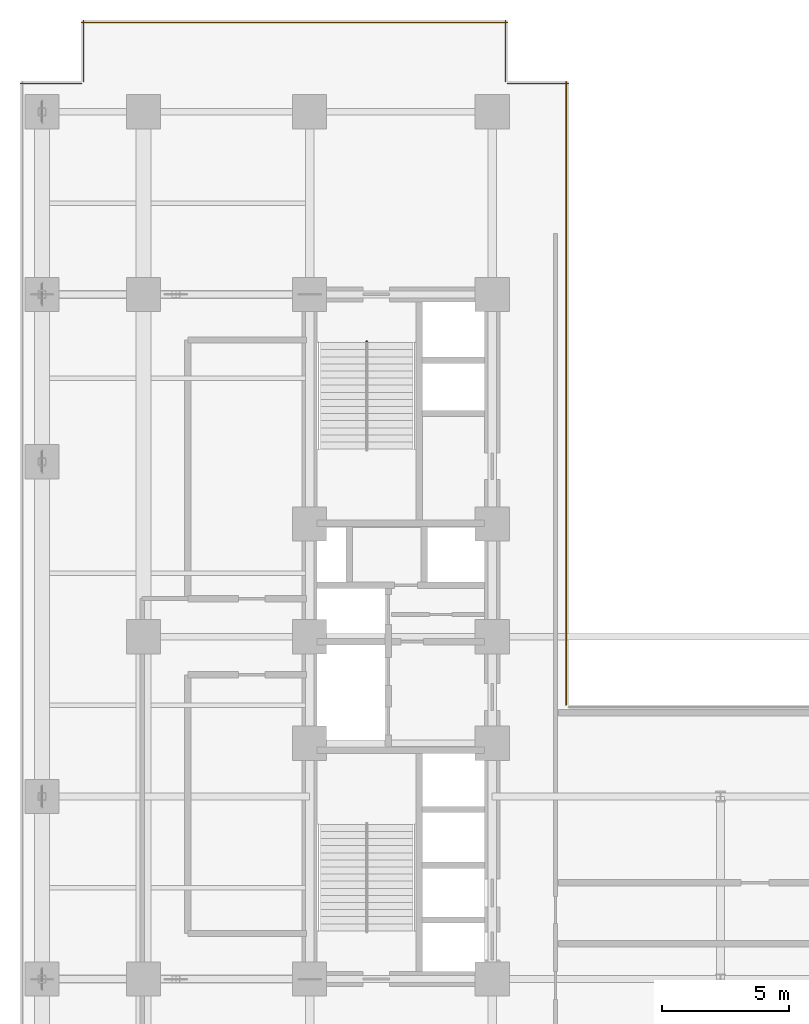
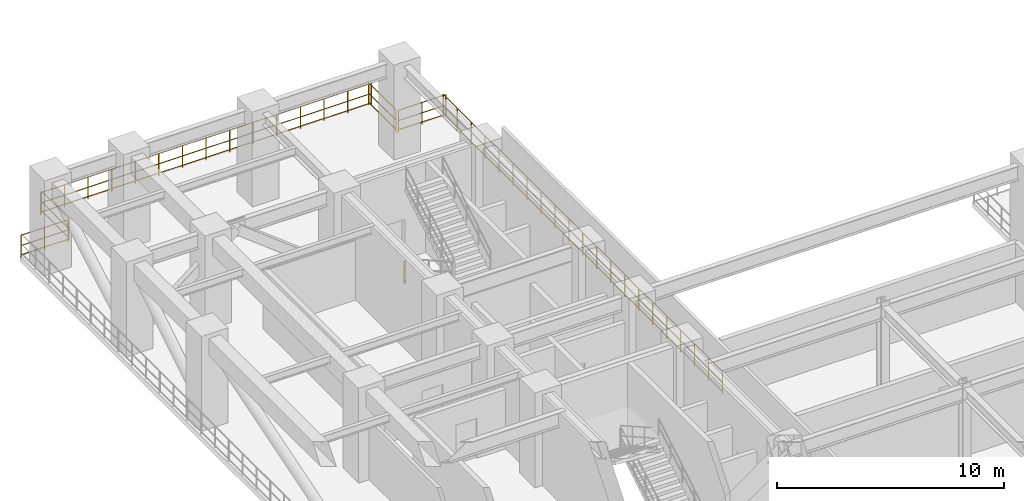
# One storey, part 15 of 15: 7 railings.
"""IFC4 building model written with IfcOpenShell, lengths in metres."""

from ifc_helpers import new_model, entity, si_unit, converted_unit, direction, frame, origin_with_axes, origin_2d_with_axis, place, context, subcontext, project, spatial, rectangle, circle, extrude, material, type_object, element, save


model = new_model("IFC4")

# Units and contexts
model_context = context("Model", 3, precision=1e-05, world=origin_with_axes(), true_north=direction((0.0, 1.0)))
body_context = subcontext(model_context, "Body", "Model", "MODEL_VIEW")
ifc_project = project(units=[si_unit("LENGTHUNIT", "METRE"), si_unit("AREAUNIT", "SQUARE_METRE"), si_unit("VOLUMEUNIT", "CUBIC_METRE"), converted_unit("PLANEANGLEUNIT", "DEGREE", entity("IfcPlaneAngleMeasure", 0.017453292519943295), si_unit("PLANEANGLEUNIT", "RADIAN"), dimensions=[0, 0, 0, 0, 0, 0, 0]), si_unit("MASSUNIT", "GRAM", prefix="KILO"), si_unit("THERMODYNAMICTEMPERATUREUNIT", "KELVIN")], contexts=[model_context])

# Site, building, storey
site_placement = place(None, origin_with_axes())
site = spatial("IfcSite", under=ifc_project, at=site_placement, CompositionType="ELEMENT")
building_placement = place(site_placement, origin_with_axes())
building = spatial("IfcBuilding", under=site, at=building_placement, Name="Varnlund Millrace Tower", CompositionType="ELEMENT")
storey_placement = place(building_placement, frame((0.0, 0.0, 79.5), z_axis=(0.0, 0.0, 1.0), x_axis=(1.0, 0.0, 0.0)))
storey = spatial("IfcBuildingStorey", under=building, at=storey_placement, Name="L19", CompositionType="ELEMENT", Elevation=79.5)

# Railings
ifc_material_1 = material(Name="Architectural bronze balustrade guard", Category="aluminium")
railing_type_1 = type_object("IfcRailingType", Name="Type-Guard-Perimeter-1150", PredefinedType="BALUSTRADE", material=ifc_material_1)
railing_1_placement = place(storey_placement, frame((0.0, 0.0, -79.5), z_axis=(0.0, 0.0, 1.0), x_axis=(1.0, 0.0, 0.0)))
element("IfcRailing", 1, at=railing_1_placement, inside=storey, type_object=railing_type_1, Name="Type-Guard-Perimeter-1150", PredefinedType="BALUSTRADE", context=body_context, shape_type="SweptSolid", body=[
    extrude(circle(Radius=0.024, at=origin_2d_with_axis()), frame((21.52, 21.6, 80.65), z_axis=(0.0, 1.0, 0.0), x_axis=(-1.0, 0.0, 0.0)), (0.0, 0.0, 1.0), 24.6),
    extrude(circle(Radius=0.024, at=origin_2d_with_axis()), frame((21.52, 21.6, 79.6), z_axis=(0.0, 1.0, 0.0), x_axis=(-1.0, 0.0, 0.0)), (0.0, 0.0, 1.0), 24.6),
    extrude(circle(Radius=0.024, at=origin_2d_with_axis()), frame((21.52, 21.6, 80.098), z_axis=(0.0, 1.0, 0.0), x_axis=(-1.0, 0.0, 0.0)), (0.0, 0.0, 1.0), 24.6),
    extrude(rectangle(XDim=0.04, YDim=0.04, at=origin_2d_with_axis()), frame((21.52, 21.6, 79.46), z_axis=(0.0, 0.0, 1.0), x_axis=(1.0, 0.0, 0.0)), (0.0, 0.0, 1.0), 1.19),
    extrude(rectangle(XDim=0.04, YDim=0.04, at=origin_2d_with_axis()), frame((21.52, 22.83, 79.46), z_axis=(0.0, 0.0, 1.0), x_axis=(1.0, 0.0, 0.0)), (0.0, 0.0, 1.0), 1.19),
    extrude(rectangle(XDim=0.04, YDim=0.04, at=origin_2d_with_axis()), frame((21.52, 24.06, 79.46), z_axis=(0.0, 0.0, 1.0), x_axis=(1.0, 0.0, 0.0)), (0.0, 0.0, 1.0), 1.19),
    extrude(rectangle(XDim=0.04, YDim=0.04, at=origin_2d_with_axis()), frame((21.52, 25.29, 79.46), z_axis=(0.0, 0.0, 1.0), x_axis=(1.0, 0.0, 0.0)), (0.0, 0.0, 1.0), 1.19),
    extrude(rectangle(XDim=0.04, YDim=0.04, at=origin_2d_with_axis()), frame((21.52, 26.52, 79.46), z_axis=(0.0, 0.0, 1.0), x_axis=(1.0, 0.0, 0.0)), (0.0, 0.0, 1.0), 1.19),
    extrude(rectangle(XDim=0.04, YDim=0.04, at=origin_2d_with_axis()), frame((21.52, 27.75, 79.46), z_axis=(0.0, 0.0, 1.0), x_axis=(1.0, 0.0, 0.0)), (0.0, 0.0, 1.0), 1.19),
    extrude(rectangle(XDim=0.04, YDim=0.04, at=origin_2d_with_axis()), frame((21.52, 28.98, 79.46), z_axis=(0.0, 0.0, 1.0), x_axis=(1.0, 0.0, 0.0)), (0.0, 0.0, 1.0), 1.19),
    extrude(rectangle(XDim=0.04, YDim=0.04, at=origin_2d_with_axis()), frame((21.52, 30.21, 79.46), z_axis=(0.0, 0.0, 1.0), x_axis=(1.0, 0.0, 0.0)), (0.0, 0.0, 1.0), 1.19),
    extrude(rectangle(XDim=0.04, YDim=0.04, at=origin_2d_with_axis()), frame((21.52, 31.44, 79.46), z_axis=(0.0, 0.0, 1.0), x_axis=(1.0, 0.0, 0.0)), (0.0, 0.0, 1.0), 1.19),
    extrude(rectangle(XDim=0.04, YDim=0.04, at=origin_2d_with_axis()), frame((21.52, 32.67, 79.46), z_axis=(0.0, 0.0, 1.0), x_axis=(1.0, 0.0, 0.0)), (0.0, 0.0, 1.0), 1.19),
    extrude(rectangle(XDim=0.04, YDim=0.04, at=origin_2d_with_axis()), frame((21.52, 33.9, 79.46), z_axis=(0.0, 0.0, 1.0), x_axis=(1.0, 0.0, 0.0)), (0.0, 0.0, 1.0), 1.19),
    extrude(rectangle(XDim=0.04, YDim=0.04, at=origin_2d_with_axis()), frame((21.52, 35.13, 79.46), z_axis=(0.0, 0.0, 1.0), x_axis=(1.0, 0.0, 0.0)), (0.0, 0.0, 1.0), 1.19),
    extrude(rectangle(XDim=0.04, YDim=0.04, at=origin_2d_with_axis()), frame((21.52, 36.36, 79.46), z_axis=(0.0, 0.0, 1.0), x_axis=(1.0, 0.0, 0.0)), (0.0, 0.0, 1.0), 1.19),
    extrude(rectangle(XDim=0.04, YDim=0.04, at=origin_2d_with_axis()), frame((21.52, 37.59, 79.46), z_axis=(0.0, 0.0, 1.0), x_axis=(1.0, 0.0, 0.0)), (0.0, 0.0, 1.0), 1.19),
    extrude(rectangle(XDim=0.04, YDim=0.04, at=origin_2d_with_axis()), frame((21.52, 38.82, 79.46), z_axis=(0.0, 0.0, 1.0), x_axis=(1.0, 0.0, 0.0)), (0.0, 0.0, 1.0), 1.19),
    extrude(rectangle(XDim=0.04, YDim=0.04, at=origin_2d_with_axis()), frame((21.52, 40.05, 79.46), z_axis=(0.0, 0.0, 1.0), x_axis=(1.0, 0.0, 0.0)), (0.0, 0.0, 1.0), 1.19),
    extrude(rectangle(XDim=0.04, YDim=0.04, at=origin_2d_with_axis()), frame((21.52, 41.28, 79.46), z_axis=(0.0, 0.0, 1.0), x_axis=(1.0, 0.0, 0.0)), (0.0, 0.0, 1.0), 1.19),
    extrude(rectangle(XDim=0.04, YDim=0.04, at=origin_2d_with_axis()), frame((21.52, 42.51, 79.46), z_axis=(0.0, 0.0, 1.0), x_axis=(1.0, 0.0, 0.0)), (0.0, 0.0, 1.0), 1.19),
    extrude(rectangle(XDim=0.04, YDim=0.04, at=origin_2d_with_axis()), frame((21.52, 43.74, 79.46), z_axis=(0.0, 0.0, 1.0), x_axis=(1.0, 0.0, 0.0)), (0.0, 0.0, 1.0), 1.19),
    extrude(rectangle(XDim=0.04, YDim=0.04, at=origin_2d_with_axis()), frame((21.52, 44.97, 79.46), z_axis=(0.0, 0.0, 1.0), x_axis=(1.0, 0.0, 0.0)), (0.0, 0.0, 1.0), 1.19),
    extrude(rectangle(XDim=0.04, YDim=0.04, at=origin_2d_with_axis()), frame((21.52, 46.2, 79.46), z_axis=(0.0, 0.0, 1.0), x_axis=(1.0, 0.0, 0.0)), (0.0, 0.0, 1.0), 1.19),
])
railing_2_placement = place(storey_placement, frame((0.0, 0.0, -79.5), z_axis=(0.0, 0.0, 1.0), x_axis=(1.0, 0.0, 0.0)))
element("IfcRailing", 2, at=railing_2_placement, inside=storey, type_object=railing_type_1, Name="Type-Guard-Perimeter-1150", PredefinedType="BALUSTRADE", context=body_context, shape_type="SweptSolid", body=[
    extrude(circle(Radius=0.024, at=origin_2d_with_axis()), frame((21.6, 46.12, 80.65), z_axis=(-1.0, 0.0, 0.0), x_axis=(0.0, -1.0, 0.0)), (0.0, 0.0, 1.0), 2.4),
    extrude(circle(Radius=0.024, at=origin_2d_with_axis()), frame((21.6, 46.12, 79.6), z_axis=(-1.0, 0.0, 0.0), x_axis=(0.0, -1.0, 0.0)), (0.0, 0.0, 1.0), 2.4),
    extrude(circle(Radius=0.024, at=origin_2d_with_axis()), frame((21.6, 46.12, 80.098), z_axis=(-1.0, 0.0, 0.0), x_axis=(0.0, -1.0, 0.0)), (0.0, 0.0, 1.0), 2.4),
    extrude(rectangle(XDim=0.04, YDim=0.04, at=origin_2d_with_axis()), frame((21.6, 46.12, 79.46), z_axis=(0.0, 0.0, 1.0), x_axis=(1.0, 0.0, 0.0)), (0.0, 0.0, 1.0), 1.19),
    extrude(rectangle(XDim=0.04, YDim=0.04, at=origin_2d_with_axis()), frame((20.4, 46.12, 79.46), z_axis=(0.0, 0.0, 1.0), x_axis=(1.0, 0.0, 0.0)), (0.0, 0.0, 1.0), 1.19),
    extrude(rectangle(XDim=0.04, YDim=0.04, at=origin_2d_with_axis()), frame((19.2, 46.12, 79.46), z_axis=(0.0, 0.0, 1.0), x_axis=(1.0, 0.0, 0.0)), (0.0, 0.0, 1.0), 1.19),
])
railing_3_placement = place(storey_placement, frame((0.0, 0.0, -79.5), z_axis=(0.0, 0.0, 1.0), x_axis=(1.0, 0.0, 0.0)))
element("IfcRailing", 3, at=railing_3_placement, inside=storey, type_object=railing_type_1, Name="Type-Guard-Perimeter-1150", PredefinedType="BALUSTRADE", context=body_context, shape_type="SweptSolid", body=[
    extrude(circle(Radius=0.024, at=origin_2d_with_axis()), frame((19.12, 46.2, 80.65), z_axis=(0.0, 1.0, 0.0), x_axis=(-1.0, 0.0, 0.0)), (0.0, 0.0, 1.0), 2.4),
    extrude(circle(Radius=0.024, at=origin_2d_with_axis()), frame((19.12, 46.2, 79.6), z_axis=(0.0, 1.0, 0.0), x_axis=(-1.0, 0.0, 0.0)), (0.0, 0.0, 1.0), 2.4),
    extrude(circle(Radius=0.024, at=origin_2d_with_axis()), frame((19.12, 46.2, 80.098), z_axis=(0.0, 1.0, 0.0), x_axis=(-1.0, 0.0, 0.0)), (0.0, 0.0, 1.0), 2.4),
    extrude(rectangle(XDim=0.04, YDim=0.04, at=origin_2d_with_axis()), frame((19.12, 46.2, 79.46), z_axis=(0.0, 0.0, 1.0), x_axis=(1.0, 0.0, 0.0)), (0.0, 0.0, 1.0), 1.19),
    extrude(rectangle(XDim=0.04, YDim=0.04, at=origin_2d_with_axis()), frame((19.12, 48.6, 79.46), z_axis=(0.0, 0.0, 1.0), x_axis=(1.0, 0.0, 0.0)), (0.0, 0.0, 1.0), 1.19),
])
railing_4_placement = place(storey_placement, frame((0.0, 0.0, -79.5), z_axis=(0.0, 0.0, 1.0), x_axis=(1.0, 0.0, 0.0)))
element("IfcRailing", 4, at=railing_4_placement, inside=storey, type_object=railing_type_1, Name="Type-Guard-Perimeter-1150", PredefinedType="BALUSTRADE", context=body_context, shape_type="SweptSolid", body=[
    extrude(circle(Radius=0.024, at=origin_2d_with_axis()), frame((19.2, 48.52, 80.65), z_axis=(-1.0, 0.0, 0.0), x_axis=(0.0, -1.0, 0.0)), (0.0, 0.0, 1.0), 16.8),
    extrude(circle(Radius=0.024, at=origin_2d_with_axis()), frame((19.2, 48.52, 79.6), z_axis=(-1.0, 0.0, 0.0), x_axis=(0.0, -1.0, 0.0)), (0.0, 0.0, 1.0), 16.8),
    extrude(circle(Radius=0.024, at=origin_2d_with_axis()), frame((19.2, 48.52, 80.098), z_axis=(-1.0, 0.0, 0.0), x_axis=(0.0, -1.0, 0.0)), (0.0, 0.0, 1.0), 16.8),
    extrude(rectangle(XDim=0.04, YDim=0.04, at=origin_2d_with_axis()), frame((19.2, 48.52, 79.46), z_axis=(0.0, 0.0, 1.0), x_axis=(1.0, 0.0, 0.0)), (0.0, 0.0, 1.0), 1.19),
    extrude(rectangle(XDim=0.04, YDim=0.04, at=origin_2d_with_axis()), frame((18.0, 48.52, 79.46), z_axis=(0.0, 0.0, 1.0), x_axis=(1.0, 0.0, 0.0)), (0.0, 0.0, 1.0), 1.19),
    extrude(rectangle(XDim=0.04, YDim=0.04, at=origin_2d_with_axis()), frame((16.8, 48.52, 79.46), z_axis=(0.0, 0.0, 1.0), x_axis=(1.0, 0.0, 0.0)), (0.0, 0.0, 1.0), 1.19),
    extrude(rectangle(XDim=0.04, YDim=0.04, at=origin_2d_with_axis()), frame((15.6, 48.52, 79.46), z_axis=(0.0, 0.0, 1.0), x_axis=(1.0, 0.0, 0.0)), (0.0, 0.0, 1.0), 1.19),
    extrude(rectangle(XDim=0.04, YDim=0.04, at=origin_2d_with_axis()), frame((14.4, 48.52, 79.46), z_axis=(0.0, 0.0, 1.0), x_axis=(1.0, 0.0, 0.0)), (0.0, 0.0, 1.0), 1.19),
    extrude(rectangle(XDim=0.04, YDim=0.04, at=origin_2d_with_axis()), frame((13.2, 48.52, 79.46), z_axis=(0.0, 0.0, 1.0), x_axis=(1.0, 0.0, 0.0)), (0.0, 0.0, 1.0), 1.19),
    extrude(rectangle(XDim=0.04, YDim=0.04, at=origin_2d_with_axis()), frame((12.0, 48.52, 79.46), z_axis=(0.0, 0.0, 1.0), x_axis=(1.0, 0.0, 0.0)), (0.0, 0.0, 1.0), 1.19),
    extrude(rectangle(XDim=0.04, YDim=0.04, at=origin_2d_with_axis()), frame((10.8, 48.52, 79.46), z_axis=(0.0, 0.0, 1.0), x_axis=(1.0, 0.0, 0.0)), (0.0, 0.0, 1.0), 1.19),
    extrude(rectangle(XDim=0.04, YDim=0.04, at=origin_2d_with_axis()), frame((9.6, 48.52, 79.46), z_axis=(0.0, 0.0, 1.0), x_axis=(1.0, 0.0, 0.0)), (0.0, 0.0, 1.0), 1.19),
    extrude(rectangle(XDim=0.04, YDim=0.04, at=origin_2d_with_axis()), frame((8.4, 48.52, 79.46), z_axis=(0.0, 0.0, 1.0), x_axis=(1.0, 0.0, 0.0)), (0.0, 0.0, 1.0), 1.19),
    extrude(rectangle(XDim=0.04, YDim=0.04, at=origin_2d_with_axis()), frame((7.2, 48.52, 79.46), z_axis=(0.0, 0.0, 1.0), x_axis=(1.0, 0.0, 0.0)), (0.0, 0.0, 1.0), 1.19),
    extrude(rectangle(XDim=0.04, YDim=0.04, at=origin_2d_with_axis()), frame((6.0, 48.52, 79.46), z_axis=(0.0, 0.0, 1.0), x_axis=(1.0, 0.0, 0.0)), (0.0, 0.0, 1.0), 1.19),
    extrude(rectangle(XDim=0.04, YDim=0.04, at=origin_2d_with_axis()), frame((4.8, 48.52, 79.46), z_axis=(0.0, 0.0, 1.0), x_axis=(1.0, 0.0, 0.0)), (0.0, 0.0, 1.0), 1.19),
    extrude(rectangle(XDim=0.04, YDim=0.04, at=origin_2d_with_axis()), frame((3.6, 48.52, 79.46), z_axis=(0.0, 0.0, 1.0), x_axis=(1.0, 0.0, 0.0)), (0.0, 0.0, 1.0), 1.19),
    extrude(rectangle(XDim=0.04, YDim=0.04, at=origin_2d_with_axis()), frame((2.4, 48.52, 79.46), z_axis=(0.0, 0.0, 1.0), x_axis=(1.0, 0.0, 0.0)), (0.0, 0.0, 1.0), 1.19),
])
railing_5_placement = place(storey_placement, frame((0.0, 0.0, -79.5), z_axis=(0.0, 0.0, 1.0), x_axis=(1.0, 0.0, 0.0)))
element("IfcRailing", 5, at=railing_5_placement, inside=storey, type_object=railing_type_1, Name="Type-Guard-Perimeter-1150", PredefinedType="BALUSTRADE", context=body_context, shape_type="SweptSolid", body=[
    extrude(circle(Radius=0.024, at=origin_2d_with_axis()), frame((2.48, 48.6, 80.65), z_axis=(0.0, -1.0, 0.0), x_axis=(1.0, 0.0, 0.0)), (0.0, 0.0, 1.0), 2.4),
    extrude(circle(Radius=0.024, at=origin_2d_with_axis()), frame((2.48, 48.6, 79.6), z_axis=(0.0, -1.0, 0.0), x_axis=(1.0, 0.0, 0.0)), (0.0, 0.0, 1.0), 2.4),
    extrude(circle(Radius=0.024, at=origin_2d_with_axis()), frame((2.48, 48.6, 80.098), z_axis=(0.0, -1.0, 0.0), x_axis=(1.0, 0.0, 0.0)), (0.0, 0.0, 1.0), 2.4),
    extrude(rectangle(XDim=0.04, YDim=0.04, at=origin_2d_with_axis()), frame((2.48, 48.6, 79.46), z_axis=(0.0, 0.0, 1.0), x_axis=(1.0, 0.0, 0.0)), (0.0, 0.0, 1.0), 1.19),
    extrude(rectangle(XDim=0.04, YDim=0.04, at=origin_2d_with_axis()), frame((2.48, 46.2, 79.46), z_axis=(0.0, 0.0, 1.0), x_axis=(1.0, 0.0, 0.0)), (0.0, 0.0, 1.0), 1.19),
])
railing_6_placement = place(storey_placement, frame((0.0, 0.0, -79.5), z_axis=(0.0, 0.0, 1.0), x_axis=(1.0, 0.0, 0.0)))
element("IfcRailing", 6, at=railing_6_placement, inside=storey, type_object=railing_type_1, Name="Type-Guard-Perimeter-1150", PredefinedType="BALUSTRADE", context=body_context, shape_type="SweptSolid", body=[
    extrude(circle(Radius=0.024, at=origin_2d_with_axis()), frame((2.4, 46.12, 80.65), z_axis=(-1.0, 0.0, 0.0), x_axis=(0.0, -1.0, 0.0)), (0.0, 0.0, 1.0), 2.4),
    extrude(circle(Radius=0.024, at=origin_2d_with_axis()), frame((2.4, 46.12, 79.6), z_axis=(-1.0, 0.0, 0.0), x_axis=(0.0, -1.0, 0.0)), (0.0, 0.0, 1.0), 2.4),
    extrude(circle(Radius=0.024, at=origin_2d_with_axis()), frame((2.4, 46.12, 80.098), z_axis=(-1.0, 0.0, 0.0), x_axis=(0.0, -1.0, 0.0)), (0.0, 0.0, 1.0), 2.4),
    extrude(rectangle(XDim=0.04, YDim=0.04, at=origin_2d_with_axis()), frame((2.4, 46.12, 79.46), z_axis=(0.0, 0.0, 1.0), x_axis=(1.0, 0.0, 0.0)), (0.0, 0.0, 1.0), 1.19),
    extrude(rectangle(XDim=0.04, YDim=0.04, at=origin_2d_with_axis()), frame((1.2, 46.12, 79.46), z_axis=(0.0, 0.0, 1.0), x_axis=(1.0, 0.0, 0.0)), (0.0, 0.0, 1.0), 1.19),
    extrude(rectangle(XDim=0.04, YDim=0.04, at=origin_2d_with_axis()), frame((0.0, 46.12, 79.46), z_axis=(0.0, 0.0, 1.0), x_axis=(1.0, 0.0, 0.0)), (0.0, 0.0, 1.0), 1.19),
])
ifc_material_2 = material(Name="Painted steel stair well balustrade guard", Category="steel")
railing_type_2 = type_object("IfcRailingType", Name="Type-StairGuard-1150", PredefinedType="GUARDRAIL", material=ifc_material_2)
railing_7_placement = place(storey_placement, frame((0.0, 0.0, -79.5), z_axis=(0.0, 0.0, 1.0), x_axis=(1.0, 0.0, 0.0)))
element("IfcRailing", 7, at=railing_7_placement, inside=storey, type_object=railing_type_2, Name="Type-StairGuard-1150", PredefinedType="GUARDRAIL", context=body_context, shape_type="SweptSolid", body=[
    extrude(circle(Radius=0.024, at=origin_2d_with_axis()), frame((13.675, 35.95, 80.65), z_axis=(-1.0, 0.0, 0.0), x_axis=(0.0, -1.0, 0.0)), (0.0, 0.0, 1.0), 0.05),
    extrude(circle(Radius=0.024, at=origin_2d_with_axis()), frame((13.675, 35.95, 79.6), z_axis=(-1.0, 0.0, 0.0), x_axis=(0.0, -1.0, 0.0)), (0.0, 0.0, 1.0), 0.05),
    extrude(circle(Radius=0.024, at=origin_2d_with_axis()), frame((13.675, 35.95, 80.098), z_axis=(-1.0, 0.0, 0.0), x_axis=(0.0, -1.0, 0.0)), (0.0, 0.0, 1.0), 0.05),
    extrude(rectangle(XDim=0.04, YDim=0.04, at=origin_2d_with_axis()), frame((13.675, 35.95, 79.46), z_axis=(0.0, 0.0, 1.0), x_axis=(1.0, 0.0, 0.0)), (0.0, 0.0, 1.0), 1.19),
    extrude(rectangle(XDim=0.04, YDim=0.04, at=origin_2d_with_axis()), frame((13.625, 35.95, 79.46), z_axis=(0.0, 0.0, 1.0), x_axis=(1.0, 0.0, 0.0)), (0.0, 0.0, 1.0), 1.19),
])

save(model, "model.ifc")
